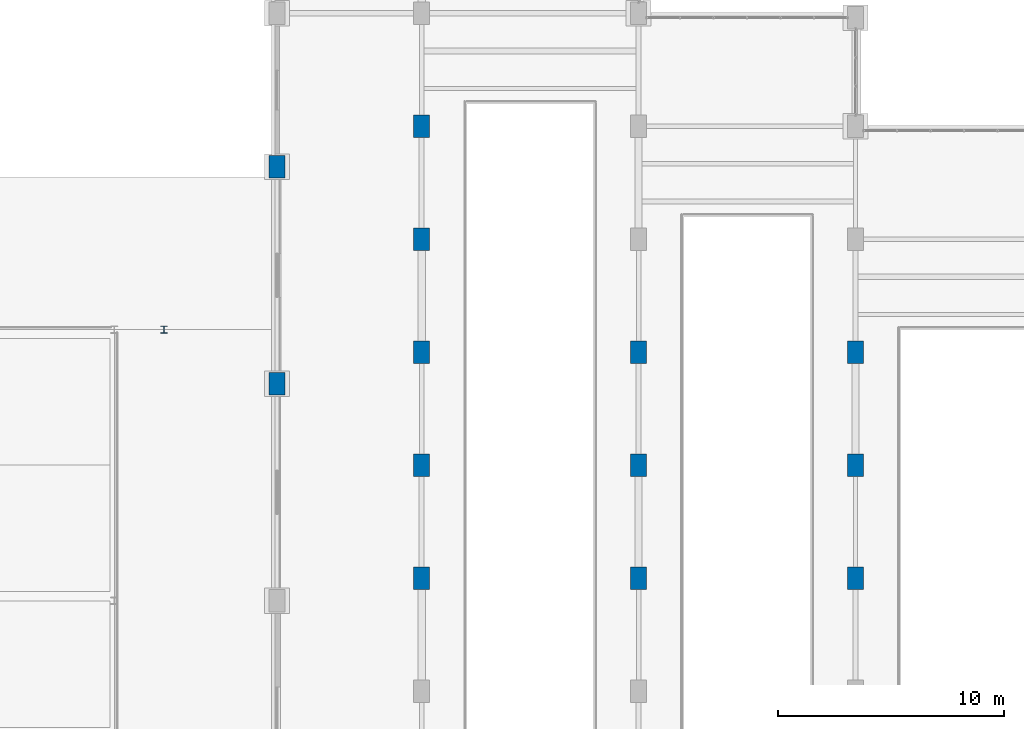
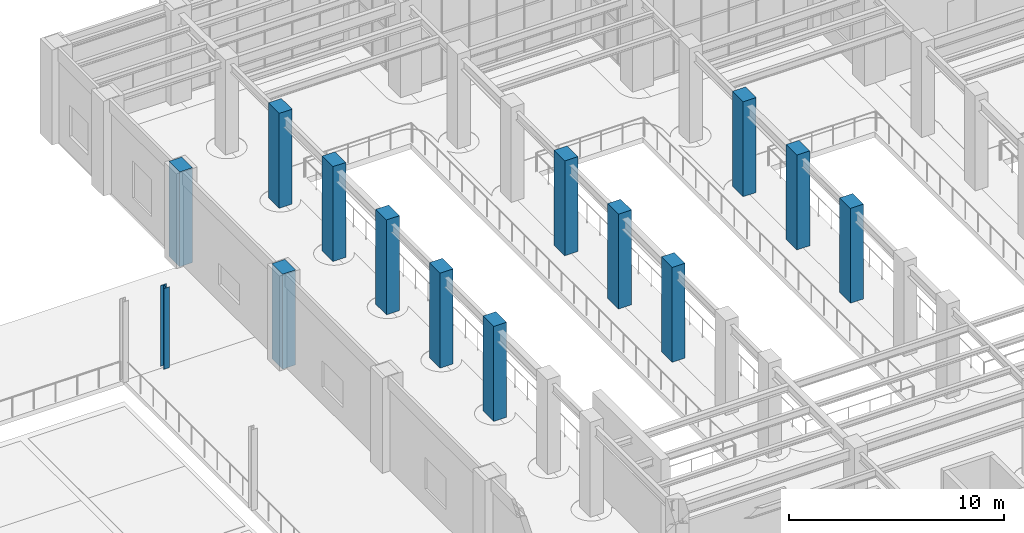
# One storey, part 17 of 164: 14 columns.
"""IFC4 building model written with IfcOpenShell, lengths in metres."""

from ifc_helpers import new_model, si_unit, direction, frame, origin, origin_2d, place, context, subcontext, project, spatial, rectangle, i_section, extrude, material, material_profile, profile_set, type_object, element, save


model = new_model("IFC4")

# Units and contexts
model_context = context("Model", 3, precision=1e-05, world=origin(), true_north=direction((0.0, 1.0)))
body_context = subcontext(model_context, "Body", "Model", "MODEL_VIEW")
ifc_project = project(units=[si_unit("LENGTHUNIT", "METRE"), si_unit("AREAUNIT", "SQUARE_METRE"), si_unit("VOLUMEUNIT", "CUBIC_METRE"), si_unit("PLANEANGLEUNIT", "RADIAN"), si_unit("MASSUNIT", "GRAM", prefix="KILO")], contexts=[model_context])

# Site, building, storey
site_placement = place(None, origin())
site = spatial("IfcSite", under=ifc_project, at=site_placement, CompositionType="ELEMENT")
building_placement = place(site_placement, origin())
building = spatial("IfcBuilding", under=site, at=building_placement, Name="Mavantir Sound Aquarium", CompositionType="ELEMENT")
storey_placement = place(building_placement, origin())
storey = spatial("IfcBuildingStorey", under=building, at=storey_placement, Name="L00", CompositionType="ELEMENT", Elevation=0.0)

# Columns
ifc_material_1 = material(Name="Concrete C40/50", Category="concrete")
ifc_material_profile_1 = material_profile(ifc_material_1, rectangle(XDim=0.699951171875, YDim=1.0, at=origin_2d()), Name="RC 700X1000")
ifc_profile_set_1 = profile_set([ifc_material_profile_1], Name="Concrete C40/50")
column_type_1 = type_object("IfcColumnType", Name="COL-RC700X1000-I", PredefinedType="COLUMN", material=ifc_profile_set_1)
for number, where, z_axis, x_axis, name in (
    (1, (101.60009765625, 74.39990234375, 0.0), (0.0, 0.0, 1.0), (1.0, 0.0, 0.0), "L00 column RC-C710 (V4)"),
    (2, (101.60009765625, 84.0, 0.0), (0.0, 0.0, 1.0), (1.0, 0.0, 0.0), "L00 column RC-C710 (V4)"),
    (3, (108.0, 65.800048828125, 0.0), (0.0, 0.0, 1.0), (1.0, 0.0, 0.0), "L00 column RC-C710 (V4)"),
    (4, (108.0, 70.800048828125, 0.0), (0.0, 0.0, 1.0), (1.0, 0.0, 0.0), "L00 column RC-C710 (V4)"),
    (5, (108.0, 75.800048828125, 0.0), (0.0, 0.0, 1.0), (1.0, 0.0, 0.0), "L00 column RC-C710 (V4)"),
    (6, (108.0, 80.800048828125, 0.0), (0.0, 0.0, 1.0), (1.0, 0.0, 0.0), "L00 column RC-C710 (V4)"),
    (7, (108.0, 85.800048828125, 0.0), (0.0, 0.0, 1.0), (1.0, 0.0, 0.0), "L00 column RC-C710 (V4)"),
    (8, (117.60009765625, 65.800048828125, 0.0), (0.0, 0.0, 1.0), (1.0, 0.0, 0.0), "L00 column RC-C710 (V4)"),
    (9, (117.60009765625, 70.800048828125, 0.0), (0.0, 0.0, 1.0), (1.0, 0.0, 0.0), "L00 column RC-C710 (V4)"),
    (10, (117.60009765625, 75.800048828125, 0.0), (0.0, 0.0, 1.0), (1.0, 0.0, 0.0), "L00 column RC-C710 (V4)"),
    (11, (127.199951171875, 65.800048828125, 0.0), (0.0, 0.0, 1.0), (1.0, 0.0, 0.0), "L00 column RC-C710 (V4)"),
    (12, (127.199951171875, 70.800048828125, 0.0), (0.0, 0.0, 1.0), (1.0, 0.0, 0.0), "L00 column RC-C710 (V4)"),
    (13, (127.199951171875, 75.800048828125, 0.0), (0.0, 0.0, 1.0), (1.0, 0.0, 0.0), "L00 column RC-C710 (V4)"),
):
    element("IfcColumn", number, at=place(storey_placement, frame(where, z_axis=z_axis, x_axis=x_axis)), inside=storey, type_object=column_type_1, Name=name, PredefinedType="COLUMN", context=body_context, shape_type="SweptSolid", body=[
        extrude(rectangle(XDim=0.699951171875, YDim=1.0, at=origin_2d()), origin(), (0.0, 0.0, 1.0), 5.39990234375),
    ])
ifc_material_2 = material(Name="Structural Steel ASTM A992 Gr50", Category="steel")
ifc_material_profile_2 = material_profile(ifc_material_2, i_section(OverallWidth=0.304931640625, OverallDepth=0.30810546875, WebThickness=0.010009765625, FlangeThickness=0.015380859375, FilletRadius=0.014892578125, at=origin_2d()), Name="W310X97")
ifc_profile_set_2 = profile_set([ifc_material_profile_2], Name="Structural Steel ASTM A992 Gr50")
column_type_2 = type_object("IfcColumnType", Name="COL-W310X97-E", PredefinedType="COLUMN", material=ifc_profile_set_2)
column_placement = place(storey_placement, frame((96.60009765625, 76.800048828125, 0.0), z_axis=(0.0, 0.0, 1.0), x_axis=(1.0, 0.0, 0.0)))
element("IfcColumn", 14, at=column_placement, inside=storey, type_object=column_type_2, Name="Tidal water court colonnade pier 12", PredefinedType="COLUMN", context=body_context, shape_type="SweptSolid", body=[
    extrude(i_section(OverallWidth=0.304931640625, OverallDepth=0.30810546875, WebThickness=0.010009765625, FlangeThickness=0.015380859375, FilletRadius=0.014892578125, at=origin_2d()), origin(), (0.0, 0.0, 1.0), 4.60009765625),
])

save(model, "model.ifc")
